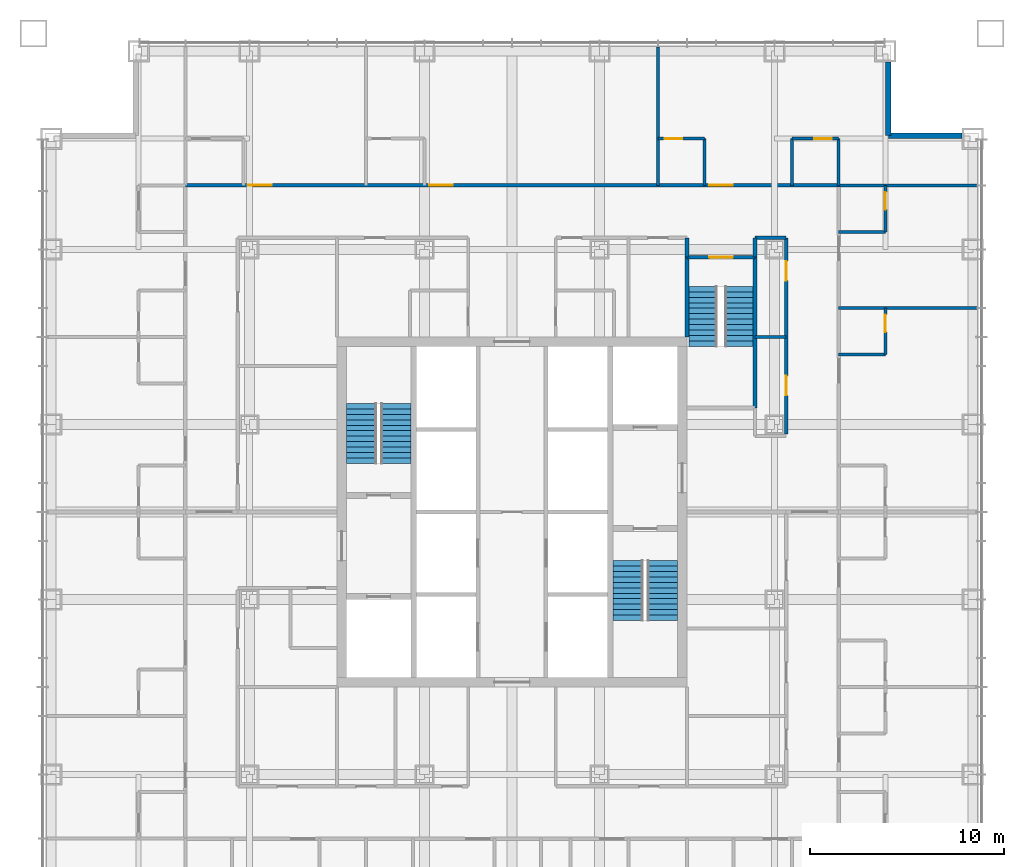
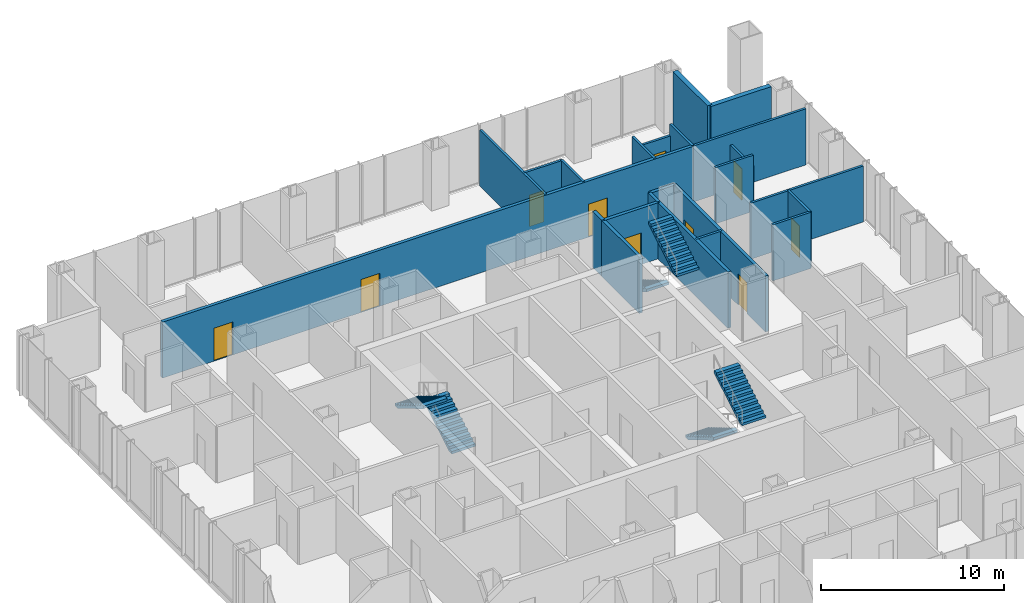
# One storey, part 11 of 12: 23 walls, 10 doors, 6 stair flights, 10 openings, 3 elements without a shape of their own.
"""IFC4 building model written with IfcOpenShell, lengths in metres."""

from ifc_helpers import new_model, si_unit, direction, frame, frame_2d, origin, place, context, subcontext, project, spatial, polyline, rectangle, outline, extrude, material, layer, layer_set, type_object, element, fill, aggregate, save


model = new_model("IFC4")

# Units and contexts
model_context = context("Model", 3, precision=1e-05, world=origin(), true_north=direction((0.0, 1.0)))
body_context = subcontext(model_context, "Body", "Model", "MODEL_VIEW")
ifc_project = project(units=[si_unit("LENGTHUNIT", "METRE"), si_unit("AREAUNIT", "SQUARE_METRE"), si_unit("VOLUMEUNIT", "CUBIC_METRE"), si_unit("PLANEANGLEUNIT", "RADIAN"), si_unit("MASSUNIT", "GRAM", prefix="KILO")], contexts=[model_context])

# Site, building, storey
site_placement = place(None, origin())
site = spatial("IfcSite", under=ifc_project, at=site_placement, CompositionType="ELEMENT")
building_placement = place(site_placement, origin())
building = spatial("IfcBuilding", under=site, at=building_placement, Name="Malebo Sky Hospital", CompositionType="ELEMENT")
storey_placement = place(building_placement, frame((0.0, 0.0, 136.0)))
storey = spatial("IfcBuildingStorey", under=building, at=storey_placement, Name="L32", CompositionType="ELEMENT", Elevation=136.0)

# Wall, openings, doors
ifc_material_1 = material(Name="Gypsum board on steel studs", Category="steel")
ifc_layer_1 = layer(ifc_material_1, 0.199951171875)
ifc_layer_set_1 = layer_set([ifc_layer_1], Name="CORRIDOR WALL 200")
wall_type_1 = type_object("IfcWallType", Name="CORRIDOR WALL 200", PredefinedType="PARTITIONING", material=ifc_layer_set_1)
wall_1_placement = place(storey_placement, frame((43.199951171875, 78.800048828125, 0.0), z_axis=(0.0, 0.0, 1.0), x_axis=(1.0, 0.0, 0.0)))
wall_1 = element("IfcWall", 1, at=wall_1_placement, inside=storey, type_object=wall_type_1, Name="Corridor Wall 200 NCO", PredefinedType="PARTITIONING", context=body_context, shape_type="SweptSolid", body=[
    extrude(rectangle(XDim=33.60009765625, YDim=0.199951171875, at=frame_2d((16.800048828125, 0.0))), origin(), (0.0, 0.0, 1.0), 3.75),
])
opening_1_placement = place(wall_1_placement, frame((3.25, 0.0, 0.0)))
opening_1 = element("IfcOpeningElement", 2, at=opening_1_placement, cuts=wall_1, Name="Opening D01", PredefinedType="OPENING", context=body_context, shape_type="SweptSolid", body=[
    extrude(rectangle(XDim=1.199951171875, YDim=2.199951171875, at=frame_2d((0.60009765625, 1.10009765625))), frame((0.0, 0.10986328125, 0.0), z_axis=(0.0, -1.0, 0.0), x_axis=(1.0, 0.0, 0.0)), (0.0, 0.0, 1.0), 0.219970703125),
])
opening_2_placement = place(wall_1_placement, frame((12.550048828125, 0.0, 0.0)))
opening_2 = element("IfcOpeningElement", 3, at=opening_2_placement, cuts=wall_1, Name="Opening D01", PredefinedType="OPENING", context=body_context, shape_type="SweptSolid", body=[
    extrude(rectangle(XDim=1.199951171875, YDim=2.199951171875, at=frame_2d((0.60009765625, 1.10009765625))), frame((0.0, 0.10986328125, 0.0), z_axis=(0.0, -1.0, 0.0), x_axis=(1.0, 0.0, 0.0)), (0.0, 0.0, 1.0), 0.219970703125),
])
opening_3_placement = place(wall_1_placement, frame((26.949951171875, 0.0, 0.0)))
opening_3 = element("IfcOpeningElement", 4, at=opening_3_placement, cuts=wall_1, Name="Opening D01", PredefinedType="OPENING", context=body_context, shape_type="SweptSolid", body=[
    extrude(rectangle(XDim=1.199951171875, YDim=2.199951171875, at=frame_2d((0.60009765625, 1.10009765625))), frame((0.0, 0.10986328125, 0.0), z_axis=(0.0, -1.0, 0.0), x_axis=(1.0, 0.0, 0.0)), (0.0, 0.0, 1.0), 0.219970703125),
])
ifc_material_2 = material(Name="Hardwood-faced door leaf in steel frame", Category="steel")
door_type_1 = type_object("IfcDoorType", Name="BED DOOR 1200", OperationType="SINGLE_SWING_LEFT", PredefinedType="DOOR", material=ifc_material_2)
door_1_placement = place(opening_1_placement, origin())
door_1 = element("IfcDoor", 5, at=door_1_placement, inside=storey, type_object=door_type_1, Name="Dialysis bay door", OperationType="SINGLE_SWING_LEFT", OverallHeight=2.199951171875, OverallWidth=1.199951171875, PredefinedType="DOOR", context=body_context, shape_type="SweptSolid", body=[
    extrude(rectangle(XDim=1.199951171875, YDim=2.199951171875, at=frame_2d((0.60009765625, 1.10009765625))), frame((0.0, 0.02490234375, 0.0), z_axis=(0.0, -1.0, 0.0), x_axis=(1.0, 0.0, 0.0)), (0.0, 0.0, 1.0), 0.050048828125),
])
fill(opening_1, door_1)
door_2_placement = place(opening_2_placement, origin())
door_2 = element("IfcDoor", 6, at=door_2_placement, inside=storey, type_object=door_type_1, Name="Dialysis bay door", OperationType="SINGLE_SWING_LEFT", OverallHeight=2.199951171875, OverallWidth=1.199951171875, PredefinedType="DOOR", context=body_context, shape_type="SweptSolid", body=[
    extrude(rectangle(XDim=1.199951171875, YDim=2.199951171875, at=frame_2d((0.60009765625, 1.10009765625))), frame((0.0, 0.02490234375, 0.0), z_axis=(0.0, -1.0, 0.0), x_axis=(1.0, 0.0, 0.0)), (0.0, 0.0, 1.0), 0.050048828125),
])
fill(opening_2, door_2)
door_3_placement = place(opening_3_placement, origin())
door_3 = element("IfcDoor", 7, at=door_3_placement, inside=storey, type_object=door_type_1, Name="Four-bed bay door", OperationType="SINGLE_SWING_LEFT", OverallHeight=2.199951171875, OverallWidth=1.199951171875, PredefinedType="DOOR", context=body_context, shape_type="SweptSolid", body=[
    extrude(rectangle(XDim=1.199951171875, YDim=2.199951171875, at=frame_2d((0.60009765625, 1.10009765625))), frame((0.0, 0.02490234375, 0.0), z_axis=(0.0, -1.0, 0.0), x_axis=(1.0, 0.0, 0.0)), (0.0, 0.0, 1.0), 0.050048828125),
])
fill(opening_3, door_3)

# Wall
wall_2_placement = place(storey_placement, frame((72.5, 76.10009765625, 0.0), z_axis=(0.0, 0.0, 1.0), x_axis=(1.0, 0.0, 0.0)))
element("IfcWall", 8, at=wall_2_placement, inside=storey, type_object=wall_type_1, Name="Corridor Wall 200 NCI2/2", PredefinedType="PARTITIONING", context=body_context, shape_type="SweptSolid", body=[
    extrude(rectangle(XDim=1.60009765625, YDim=0.199951171875, at=frame_2d((0.800048828125, 0.0))), origin(), (0.0, 0.0, 1.0), 3.75),
])

# Wall, openings, doors
wall_3_placement = place(storey_placement, frame((74.10009765625, 76.10009765625, 0.0), z_axis=(0.0, 0.0, 1.0), x_axis=(0.0, -1.0, 0.0)))
wall_3 = element("IfcWall", 9, at=wall_3_placement, inside=storey, type_object=wall_type_1, Name="Corridor Wall 200 ECI1", PredefinedType="PARTITIONING", context=body_context, shape_type="SweptSolid", body=[
    extrude(rectangle(XDim=10.10009765625, YDim=0.199951171875, at=frame_2d((5.050048828125, 0.0))), origin(), (0.0, 0.0, 1.0), 3.75),
])
opening_4_placement = place(wall_3_placement, frame((1.199951171875, 0.0, 0.0)))
opening_4 = element("IfcOpeningElement", 10, at=opening_4_placement, cuts=wall_3, Name="Opening D03", PredefinedType="OPENING", context=body_context, shape_type="SweptSolid", body=[
    extrude(rectangle(XDim=1.0, YDim=2.10009765625, at=frame_2d((0.5, 1.050048828125))), frame((0.0, 0.10986328125, 0.0), z_axis=(0.0, -1.0, 0.0), x_axis=(1.0, 0.0, 0.0)), (0.0, 0.0, 1.0), 0.219970703125),
])
opening_5_placement = place(wall_3_placement, frame((7.10009765625, 0.0, 0.0)))
opening_5 = element("IfcOpeningElement", 11, at=opening_5_placement, cuts=wall_3, Name="Opening D03", PredefinedType="OPENING", context=body_context, shape_type="SweptSolid", body=[
    extrude(rectangle(XDim=1.0, YDim=2.10009765625, at=frame_2d((0.5, 1.050048828125))), frame((0.0, 0.10986328125, 0.0), z_axis=(0.0, -1.0, 0.0), x_axis=(1.0, 0.0, 0.0)), (0.0, 0.0, 1.0), 0.219970703125),
])
door_type_2 = type_object("IfcDoorType", Name="ROOM DOOR 1000", OperationType="SINGLE_SWING_LEFT", PredefinedType="DOOR", material=ifc_material_2)
door_4_placement = place(opening_4_placement, origin())
door_4 = element("IfcDoor", 12, at=door_4_placement, inside=storey, type_object=door_type_2, Name="Consulting room door", OperationType="SINGLE_SWING_LEFT", OverallHeight=2.10009765625, OverallWidth=1.0, PredefinedType="DOOR", context=body_context, shape_type="SweptSolid", body=[
    extrude(rectangle(XDim=1.0, YDim=2.10009765625, at=frame_2d((0.5, 1.050048828125))), frame((0.0, 0.02490234375, 0.0), z_axis=(0.0, -1.0, 0.0), x_axis=(1.0, 0.0, 0.0)), (0.0, 0.0, 1.0), 0.050048828125),
])
fill(opening_4, door_4)
door_5_placement = place(opening_5_placement, origin())
door_5 = element("IfcDoor", 13, at=door_5_placement, inside=storey, type_object=door_type_2, Name="Dietitian consulting room door", OperationType="SINGLE_SWING_LEFT", OverallHeight=2.10009765625, OverallWidth=1.0, PredefinedType="DOOR", context=body_context, shape_type="SweptSolid", body=[
    extrude(rectangle(XDim=1.0, YDim=2.10009765625, at=frame_2d((0.5, 1.050048828125))), frame((0.0, 0.02490234375, 0.0), z_axis=(0.0, -1.0, 0.0), x_axis=(1.0, 0.0, 0.0)), (0.0, 0.0, 1.0), 0.050048828125),
])
fill(opening_5, door_5)

# Walls
for number, where, z_axis, x_axis, name in (
    (14, (69.0, 75.10009765625, 0.0), (0.0, 0.0, 1.0), (0.0, 1.0, 0.0), "Corridor Wall 200 ST3AW"),
    (15, (72.5, 75.10009765625, 0.0), (0.0, 0.0, 1.0), (0.0, 1.0, 0.0), "Corridor Wall 200 ST3AE"),
):
    element("IfcWall", number, at=place(storey_placement, frame(where, z_axis=z_axis, x_axis=x_axis)), inside=storey, type_object=wall_type_1, Name=name, PredefinedType="PARTITIONING", context=body_context, shape_type="SweptSolid", body=[
        extrude(rectangle(XDim=1.0, YDim=0.199951171875, at=frame_2d((0.5, 0.0))), origin(), (0.0, 0.0, 1.0), 3.75),
    ])
ifc_material_3 = material(Name="Anodised aluminium rainscreen on steel framing", Category="steel")
ifc_layer_2 = layer(ifc_material_3, 0.300048828125)
ifc_layer_set_2 = layer_set([ifc_layer_2], Name="NOTCH RAINSCREEN WALL 300")
wall_type_2 = type_object("IfcWallType", Name="NOTCH RAINSCREEN WALL 300", PredefinedType="ELEMENTEDWALL", material=ifc_layer_set_2)
for number, where, z_axis, x_axis, name in (
    (16, (79.35009765625, 85.14990234375, 0.0), (0.0, 0.0, 1.0), (0.0, -1.0, 0.0), "Notch rainscreen wall N1 L32"),
    (17, (79.35009765625, 81.35009765625, 0.0), (0.0, 0.0, 1.0), (1.0, 0.0, 0.0), "Notch rainscreen wall N2 L32"),
):
    element("IfcWall", number, at=place(storey_placement, frame(where, z_axis=z_axis, x_axis=x_axis)), inside=storey, type_object=wall_type_2, Name=name, PredefinedType="ELEMENTEDWALL", context=body_context, shape_type="SweptSolid", body=[
        extrude(rectangle(XDim=3.7998046875, YDim=0.300048828125, at=frame_2d((1.89990234375, 0.0))), origin(), (0.0, 0.0, 1.0), 4.0),
    ])
ifc_layer_3 = layer(ifc_material_1, 0.14990234375)
ifc_layer_set_3 = layer_set([ifc_layer_3], Name="PARTITION 150")
wall_type_3 = type_object("IfcWallType", Name="PARTITION 150", PredefinedType="PARTITIONING", material=ifc_layer_set_3)
wall_4_placement = place(storey_placement, frame((67.5, 78.800048828125, 0.0), z_axis=(0.0, 0.0, 1.0), x_axis=(0.0, 1.0, 0.0)))
element("IfcWall", 18, at=wall_4_placement, inside=storey, type_object=wall_type_3, Name="Partition 150 NP+7.5", PredefinedType="PARTITIONING", context=body_context, shape_type="SweptSolid", body=[
    extrude(rectangle(XDim=7.10986328125, YDim=0.14990234375, at=frame_2d((3.554931640625, 0.0))), origin(), (0.0, 0.0, 1.0), 3.75),
])

# Wall, opening, door
wall_5_placement = place(storey_placement, frame((67.5, 81.199951171875, 0.0), z_axis=(0.0, 0.0, 1.0), x_axis=(1.0, 0.0, 0.0)))
wall_5 = element("IfcWall", 19, at=wall_5_placement, inside=storey, type_object=wall_type_3, Name="Partition 150 NE2F", PredefinedType="PARTITIONING", context=body_context, shape_type="SweptSolid", body=[
    extrude(rectangle(XDim=2.39990234375, YDim=0.14990234375, at=frame_2d((1.199951171875, 0.0))), origin(), (0.0, 0.0, 1.0), 3.75),
])
opening_6_placement = place(wall_5_placement, frame((0.35009765625, 0.0, 0.0)))
opening_6 = element("IfcOpeningElement", 20, at=opening_6_placement, cuts=wall_5, Name="Opening D02", PredefinedType="OPENING", context=body_context, shape_type="SweptSolid", body=[
    extrude(rectangle(XDim=0.89990234375, YDim=2.10009765625, at=frame_2d((0.449951171875, 1.050048828125))), frame((0.0, 0.0849609375, 0.0), z_axis=(0.0, -1.0, 0.0), x_axis=(1.0, 0.0, 0.0)), (0.0, 0.0, 1.0), 0.169921875),
])
door_type_3 = type_object("IfcDoorType", Name="EN-SUITE DOOR 900", OperationType="SINGLE_SWING_LEFT", PredefinedType="DOOR", material=ifc_material_2)
door_6_placement = place(opening_6_placement, origin())
door_6 = element("IfcDoor", 21, at=door_6_placement, inside=storey, type_object=door_type_3, Name="En-suite door", OperationType="SINGLE_SWING_LEFT", OverallHeight=2.10009765625, OverallWidth=0.89990234375, PredefinedType="DOOR", context=body_context, shape_type="SweptSolid", body=[
    extrude(rectangle(XDim=0.89990234375, YDim=2.10009765625, at=frame_2d((0.449951171875, 1.050048828125))), frame((0.0, 0.02490234375, 0.0), z_axis=(0.0, -1.0, 0.0), x_axis=(1.0, 0.0, 0.0)), (0.0, 0.0, 1.0), 0.050048828125),
])
fill(opening_6, door_6)

# Wall
wall_6_placement = place(storey_placement, frame((69.89990234375, 78.800048828125, 0.0), z_axis=(0.0, 0.0, 1.0), x_axis=(0.0, 1.0, 0.0)))
element("IfcWall", 22, at=wall_6_placement, inside=storey, type_object=wall_type_3, Name="Partition 150 NE2S", PredefinedType="PARTITIONING", context=body_context, shape_type="SweptSolid", body=[
    extrude(rectangle(XDim=2.39990234375, YDim=0.14990234375, at=frame_2d((1.199951171875, 0.0))), origin(), (0.0, 0.0, 1.0), 3.75),
])

# Wall, opening, door
wall_7_placement = place(storey_placement, frame((74.39990234375, 81.199951171875, 0.0), z_axis=(0.0, 0.0, 1.0), x_axis=(1.0, 0.0, 0.0)))
wall_7 = element("IfcWall", 23, at=wall_7_placement, inside=storey, type_object=wall_type_3, Name="Partition 150 NG2F", PredefinedType="PARTITIONING", context=body_context, shape_type="SweptSolid", body=[
    extrude(rectangle(XDim=2.400146484375, YDim=0.14990234375, at=frame_2d((1.2001953125, 0.0))), origin(), (0.0, 0.0, 1.0), 2.9970703125),
])
opening_7_placement = place(wall_7_placement, frame((1.14990234375, 0.0, 0.0)))
opening_7 = element("IfcOpeningElement", 24, at=opening_7_placement, cuts=wall_7, Name="Opening D02", PredefinedType="OPENING", context=body_context, shape_type="SweptSolid", body=[
    extrude(rectangle(XDim=0.89990234375, YDim=2.10009765625, at=frame_2d((0.449951171875, 1.050048828125))), frame((0.0, 0.0849609375, 0.0), z_axis=(0.0, -1.0, 0.0), x_axis=(1.0, 0.0, 0.0)), (0.0, 0.0, 1.0), 0.169921875),
])
door_7_placement = place(opening_7_placement, origin())
door_7 = element("IfcDoor", 25, at=door_7_placement, inside=storey, type_object=door_type_3, Name="En-suite door", OperationType="SINGLE_SWING_RIGHT", OverallHeight=2.10009765625, OverallWidth=0.89990234375, PredefinedType="DOOR", context=body_context, shape_type="SweptSolid", body=[
    extrude(rectangle(XDim=0.89990234375, YDim=2.10009765625, at=frame_2d((0.449951171875, 1.050048828125))), frame((0.0, 0.02490234375, 0.0), z_axis=(0.0, -1.0, 0.0), x_axis=(1.0, 0.0, 0.0)), (0.0, 0.0, 1.0), 0.050048828125),
])
fill(opening_7, door_7)

# Walls
for number, where, z_axis, x_axis, name in (
    (26, (74.39990234375, 78.800048828125, 0.0), (0.0, 0.0, 1.0), (0.0, 1.0, 0.0), "Partition 150 NG2S"),
    (27, (76.800048828125, 78.800048828125, 0.0), (0.0, 0.0, 1.0), (0.0, 1.0, 0.0), "Partition 150 NEZ"),
):
    element("IfcWall", number, at=place(storey_placement, frame(where, z_axis=z_axis, x_axis=x_axis)), inside=storey, type_object=wall_type_3, Name=name, PredefinedType="PARTITIONING", context=body_context, shape_type="SweptSolid", body=[
        extrude(rectangle(XDim=2.39990234375, YDim=0.14990234375, at=frame_2d((1.199951171875, 0.0))), origin(), (0.0, 0.0, 1.0), 3.75),
    ])
for number, where, z_axis, x_axis, name in (
    (28, (76.800048828125, 72.5, 0.0), (0.0, 0.0, 1.0), (1.0, 0.0, 0.0), "Partition 150 EP-10.5"),
    (29, (76.800048828125, 78.800048828125, 0.0), (0.0, 0.0, 1.0), (1.0, 0.0, 0.0), "Partition 150 EP0"),
):
    element("IfcWall", number, at=place(storey_placement, frame(where, z_axis=z_axis, x_axis=x_axis)), inside=storey, type_object=wall_type_3, Name=name, PredefinedType="PARTITIONING", context=body_context, shape_type="SweptSolid", body=[
        extrude(rectangle(XDim=7.10986328125, YDim=0.14990234375, at=frame_2d((3.554931640625, 0.0))), origin(), (0.0, 0.0, 1.0), 3.75),
    ])

# Wall, opening, door
wall_8_placement = place(storey_placement, frame((79.199951171875, 78.800048828125, 0.0), z_axis=(0.0, 0.0, 1.0), x_axis=(0.0, -1.0, 0.0)))
wall_8 = element("IfcWall", 30, at=wall_8_placement, inside=storey, type_object=wall_type_3, Name="Partition 150 EE0F", PredefinedType="PARTITIONING", context=body_context, shape_type="SweptSolid", body=[
    extrude(rectangle(XDim=2.400146484375, YDim=0.14990234375, at=frame_2d((1.2001953125, 0.0))), origin(), (0.0, 0.0, 1.0), 2.9970703125),
])
opening_8_placement = place(wall_8_placement, frame((0.35009765625, 0.0, 0.0)))
opening_8 = element("IfcOpeningElement", 31, at=opening_8_placement, cuts=wall_8, Name="Opening D02", PredefinedType="OPENING", context=body_context, shape_type="SweptSolid", body=[
    extrude(rectangle(XDim=0.89990234375, YDim=2.10009765625, at=frame_2d((0.449951171875, 1.050048828125))), frame((0.0, 0.0849609375, 0.0), z_axis=(0.0, -1.0, 0.0), x_axis=(1.0, 0.0, 0.0)), (0.0, 0.0, 1.0), 0.169921875),
])
door_8_placement = place(opening_8_placement, origin())
door_8 = element("IfcDoor", 32, at=door_8_placement, inside=storey, type_object=door_type_3, Name="En-suite door", OperationType="SINGLE_SWING_LEFT", OverallHeight=2.10009765625, OverallWidth=0.89990234375, PredefinedType="DOOR", context=body_context, shape_type="SweptSolid", body=[
    extrude(rectangle(XDim=0.89990234375, YDim=2.10009765625, at=frame_2d((0.449951171875, 1.050048828125))), frame((0.0, 0.02490234375, 0.0), z_axis=(0.0, -1.0, 0.0), x_axis=(1.0, 0.0, 0.0)), (0.0, 0.0, 1.0), 0.050048828125),
])
fill(opening_8, door_8)

# Wall
wall_9_placement = place(storey_placement, frame((76.800048828125, 76.39990234375, 0.0), z_axis=(0.0, 0.0, 1.0), x_axis=(1.0, 0.0, 0.0)))
element("IfcWall", 33, at=wall_9_placement, inside=storey, type_object=wall_type_3, Name="Partition 150 EE0S", PredefinedType="PARTITIONING", context=body_context, shape_type="SweptSolid", body=[
    extrude(rectangle(XDim=2.39990234375, YDim=0.14990234375, at=frame_2d((1.199951171875, 0.0))), origin(), (0.0, 0.0, 1.0), 3.75),
])

# Wall, opening, door
wall_10_placement = place(storey_placement, frame((79.199951171875, 72.5, 0.0), z_axis=(0.0, 0.0, 1.0), x_axis=(0.0, -1.0, 0.0)))
wall_10 = element("IfcWall", 34, at=wall_10_placement, inside=storey, type_object=wall_type_3, Name="Partition 150 EE1F", PredefinedType="PARTITIONING", context=body_context, shape_type="SweptSolid", body=[
    extrude(rectangle(XDim=2.39990234375, YDim=0.14990234375, at=frame_2d((1.199951171875, 0.0))), origin(), (0.0, 0.0, 1.0), 3.75),
])
opening_9_placement = place(wall_10_placement, frame((0.35009765625, 0.0, 0.0)))
opening_9 = element("IfcOpeningElement", 35, at=opening_9_placement, cuts=wall_10, Name="Opening D02", PredefinedType="OPENING", context=body_context, shape_type="SweptSolid", body=[
    extrude(rectangle(XDim=0.89990234375, YDim=2.10009765625, at=frame_2d((0.449951171875, 1.050048828125))), frame((0.0, 0.0849609375, 0.0), z_axis=(0.0, -1.0, 0.0), x_axis=(1.0, 0.0, 0.0)), (0.0, 0.0, 1.0), 0.169921875),
])
door_9_placement = place(opening_9_placement, origin())
door_9 = element("IfcDoor", 36, at=door_9_placement, inside=storey, type_object=door_type_3, Name="En-suite door", OperationType="SINGLE_SWING_LEFT", OverallHeight=2.10009765625, OverallWidth=0.89990234375, PredefinedType="DOOR", context=body_context, shape_type="SweptSolid", body=[
    extrude(rectangle(XDim=0.89990234375, YDim=2.10009765625, at=frame_2d((0.449951171875, 1.050048828125))), frame((0.0, 0.02490234375, 0.0), z_axis=(0.0, -1.0, 0.0), x_axis=(1.0, 0.0, 0.0)), (0.0, 0.0, 1.0), 0.050048828125),
])
fill(opening_9, door_9)

# Walls
wall_11_placement = place(storey_placement, frame((76.800048828125, 70.10009765625, 0.0), z_axis=(0.0, 0.0, 1.0), x_axis=(1.0, 0.0, 0.0)))
element("IfcWall", 37, at=wall_11_placement, inside=storey, type_object=wall_type_3, Name="Partition 150 EE1S", PredefinedType="PARTITIONING", context=body_context, shape_type="SweptSolid", body=[
    extrude(rectangle(XDim=2.39990234375, YDim=0.14990234375, at=frame_2d((1.199951171875, 0.0))), origin(), (0.0, 0.0, 1.0), 3.75),
])
wall_12_placement = place(storey_placement, frame((72.5, 71.0, 0.0), z_axis=(0.0, 0.0, 1.0), x_axis=(1.0, 0.0, 0.0)))
element("IfcWall", 38, at=wall_12_placement, inside=storey, type_object=wall_type_3, Name="Partition 150 ESP0", PredefinedType="PARTITIONING", context=body_context, shape_type="SweptSolid", body=[
    extrude(rectangle(XDim=1.60009765625, YDim=0.14990234375, at=frame_2d((0.800048828125, 0.0))), origin(), (0.0, 0.0, 1.0), 3.75),
])
ifc_material_4 = material(Name="Concrete C40/50", Category="concrete")
ifc_layer_4 = layer(ifc_material_4, 0.199951171875)
ifc_layer_set_4 = layer_set([ifc_layer_4], Name="STAIR ENCLOSURE WALL 200")
wall_type_4 = type_object("IfcWallType", Name="STAIR ENCLOSURE WALL 200", PredefinedType="SOLIDWALL", material=ifc_layer_set_4)
wall_13_placement = place(storey_placement, frame((69.0, 71.0, 0.0), z_axis=(0.0, 0.0, 1.0), x_axis=(0.0, 1.0, 0.0)))
element("IfcWall", 39, at=wall_13_placement, inside=storey, type_object=wall_type_4, Name="Stair Enclosure Wall 200 ST3W", PredefinedType="SOLIDWALL", context=body_context, shape_type="SweptSolid", body=[
    extrude(rectangle(XDim=4.10009765625, YDim=0.199951171875, at=frame_2d((2.050048828125, 0.0))), origin(), (0.0, 0.0, 1.0), 3.75),
])
wall_14_placement = place(storey_placement, frame((72.5, 67.35009765625, 0.0), z_axis=(0.0, 0.0, 1.0), x_axis=(0.0, 1.0, 0.0)))
element("IfcWall", 40, at=wall_14_placement, inside=storey, type_object=wall_type_4, Name="Stair Enclosure Wall 200 ST3E", PredefinedType="SOLIDWALL", context=body_context, shape_type="SweptSolid", body=[
    extrude(rectangle(XDim=7.75, YDim=0.199951171875, at=frame_2d((3.875, 0.0))), origin(), (0.0, 0.0, 1.0), 3.75),
])

# Wall, opening, door
wall_15_placement = place(storey_placement, frame((69.0, 75.10009765625, 0.0), z_axis=(0.0, 0.0, 1.0), x_axis=(1.0, 0.0, 0.0)))
wall_15 = element("IfcWall", 41, at=wall_15_placement, inside=storey, type_object=wall_type_4, Name="Stair Enclosure Wall 200 ST3N", PredefinedType="SOLIDWALL", context=body_context, shape_type="SweptSolid", body=[
    extrude(rectangle(XDim=3.5, YDim=0.199951171875, at=frame_2d((1.75, 0.0))), origin(), (0.0, 0.0, 1.0), 3.75),
])
opening_10_placement = place(wall_15_placement, frame((1.14990234375, 0.0, 0.0)))
opening_10 = element("IfcOpeningElement", 42, at=opening_10_placement, cuts=wall_15, Name="Opening D08", PredefinedType="OPENING", context=body_context, shape_type="SweptSolid", body=[
    extrude(rectangle(XDim=1.199951171875, YDim=2.10009765625, at=frame_2d((0.60009765625, 1.050048828125))), frame((0.0, 0.10986328125, 0.0), z_axis=(0.0, -1.0, 0.0), x_axis=(1.0, 0.0, 0.0)), (0.0, 0.0, 1.0), 0.219970703125),
])
door_type_4 = type_object("IfcDoorType", Name="STAIR DOOR 1200", OperationType="SINGLE_SWING_LEFT", PredefinedType="DOOR", material=ifc_material_2)
door_10_placement = place(opening_10_placement, origin())
door_10 = element("IfcDoor", 43, at=door_10_placement, inside=storey, type_object=door_type_4, Name="Stair S3 door", OperationType="SINGLE_SWING_LEFT", OverallHeight=2.10009765625, OverallWidth=1.199951171875, PredefinedType="DOOR", context=body_context, shape_type="SweptSolid", body=[
    extrude(rectangle(XDim=1.199951171875, YDim=2.10009765625, at=frame_2d((0.60009765625, 1.050048828125))), frame((0.0, 0.02490234375, 0.0), z_axis=(0.0, -1.0, 0.0), x_axis=(1.0, 0.0, 0.0)), (0.0, 0.0, 1.0), 0.050048828125),
])
fill(opening_10, door_10)

# Stair, stair flights
stair_type_1 = type_object("IfcStairType", Name="HALF-TURN STAIR 1400 R167", PredefinedType="HALF_TURN_STAIR", material=ifc_material_4)
stair_1_placement = place(storey_placement, origin())
stair_1 = element("IfcStair", 44, at=stair_1_placement, inside=storey, type_object=stair_type_1, Name="Stair S3 L32 type ST1B", PredefinedType="HALF_TURN_STAIR")
stair_flight_type_1 = type_object("IfcStairFlightType", Name="STAIR FLIGHT 1400 R167", PredefinedType="STRAIGHT", material=ifc_material_4)
stair_flight_1_placement = place(storey_placement, frame((69.800048828125, 73.60009765625, 0.0), z_axis=(0.0, 0.0, 1.0), x_axis=(0.0, -1.0, 0.0)))
stair_flight_1 = element("IfcStairFlight", 45, at=stair_flight_1_placement, type_object=stair_flight_type_1, Name="S3 flight 1 type SF1B", NumberOfRisers=12, NumberOfTreads=11, PredefinedType="STRAIGHT", RiserHeight=0.166666667, TreadLength=0.28, context=body_context, shape_type="SweptSolid", body=[
    extrude(outline(polyline([(0.0, 0.0), (0.0, 0.166748046875), (0.280029296875, 0.166748046875), (0.280029296875, 0.333251953125), (0.56005859375, 0.333251953125), (0.56005859375, 0.5), (0.840087890625, 0.5), (0.840087890625, 0.666748046875), (1.1201171875, 0.666748046875), (1.1201171875, 0.833251953125), (1.39990234375, 0.833251953125), (1.39990234375, 1.0), (1.679931640625, 1.0), (1.679931640625, 1.166748046875), (1.9599609375, 1.166748046875), (1.9599609375, 1.333251953125), (2.239990234375, 1.333251953125), (2.239990234375, 1.5), (2.52001953125, 1.5), (2.52001953125, 1.666748046875), (2.800048828125, 1.666748046875), (2.800048828125, 1.833251953125), (3.080078125, 1.833251953125), (3.080078125, 2.0), (3.080078125, 1.658935546875), (0.29296875, 0.0), (0.0, 0.0)])), frame((0.0, 0.699951171875, 0.0), z_axis=(0.0, -1.0, 0.0), x_axis=(1.0, 0.0, 0.0)), (0.0, 0.0, 1.0), 1.39990234375),
])
stair_flight_2_placement = place(storey_placement, frame((71.699951171875, 70.52001953125, 2.0), z_axis=(0.0, 0.0, 1.0), x_axis=(0.0, 1.0, 0.0)))
stair_flight_2 = element("IfcStairFlight", 46, at=stair_flight_2_placement, type_object=stair_flight_type_1, Name="S3 flight 2 type SF1B", NumberOfRisers=12, NumberOfTreads=11, PredefinedType="STRAIGHT", RiserHeight=0.166666667, TreadLength=0.28, context=body_context, shape_type="SweptSolid", body=[
    extrude(outline(polyline([(0.0, 0.0), (0.0, 0.166748046875), (0.280029296875, 0.166748046875), (0.280029296875, 0.333251953125), (0.56005859375, 0.333251953125), (0.56005859375, 0.5), (0.840087890625, 0.5), (0.840087890625, 0.666748046875), (1.1201171875, 0.666748046875), (1.1201171875, 0.833251953125), (1.39990234375, 0.833251953125), (1.39990234375, 1.0), (1.679931640625, 1.0), (1.679931640625, 1.166748046875), (1.9599609375, 1.166748046875), (1.9599609375, 1.333251953125), (2.239990234375, 1.333251953125), (2.239990234375, 1.5), (2.52001953125, 1.5), (2.52001953125, 1.666748046875), (2.800048828125, 1.666748046875), (2.800048828125, 1.833251953125), (3.080078125, 1.833251953125), (3.080078125, 2.0), (3.080078125, 1.658935546875), (0.29296875, 0.0), (0.0, 0.0)])), frame((0.0, 0.699951171875, 0.0), z_axis=(0.0, -1.0, 0.0), x_axis=(1.0, 0.0, 0.0)), (0.0, 0.0, 1.0), 1.39990234375),
])
aggregate(stair_1, [stair_flight_1, stair_flight_2])

stair_type_2 = type_object("IfcStairType", Name="HALF-TURN STAIR 1500 R167", PredefinedType="HALF_TURN_STAIR", material=ifc_material_4)
stair_2_placement = place(storey_placement, origin())
stair_2 = element("IfcStair", 47, at=stair_2_placement, inside=storey, type_object=stair_type_2, Name="Stair S1 L32 type ST1", PredefinedType="HALF_TURN_STAIR")
stair_flight_type_2 = type_object("IfcStairFlightType", Name="STAIR FLIGHT 1500 R167", PredefinedType="STRAIGHT", material=ifc_material_4)
stair_flight_3_placement = place(storey_placement, frame((54.050048828125, 64.5, 0.0), z_axis=(0.0, 0.0, 1.0), x_axis=(0.0, 1.0, 0.0)))
stair_flight_3 = element("IfcStairFlight", 48, at=stair_flight_3_placement, type_object=stair_flight_type_2, Name="S1 flight 1 type SF1", NumberOfRisers=12, NumberOfTreads=11, PredefinedType="STRAIGHT", RiserHeight=0.166666667, TreadLength=0.28, context=body_context, shape_type="SweptSolid", body=[
    extrude(outline(polyline([(0.0, 0.0), (0.0, 0.166748046875), (0.280029296875, 0.166748046875), (0.280029296875, 0.333251953125), (0.56005859375, 0.333251953125), (0.56005859375, 0.5), (0.840087890625, 0.5), (0.840087890625, 0.666748046875), (1.1201171875, 0.666748046875), (1.1201171875, 0.833251953125), (1.39990234375, 0.833251953125), (1.39990234375, 1.0), (1.679931640625, 1.0), (1.679931640625, 1.166748046875), (1.9599609375, 1.166748046875), (1.9599609375, 1.333251953125), (2.239990234375, 1.333251953125), (2.239990234375, 1.5), (2.52001953125, 1.5), (2.52001953125, 1.666748046875), (2.800048828125, 1.666748046875), (2.800048828125, 1.833251953125), (3.080078125, 1.833251953125), (3.080078125, 2.0), (3.080078125, 1.658935546875), (0.29296875, 0.0), (0.0, 0.0)])), frame((0.0, 0.75, 0.0), z_axis=(0.0, -1.0, 0.0), x_axis=(1.0, 0.0, 0.0)), (0.0, 0.0, 1.0), 1.5),
])
stair_flight_4_placement = place(storey_placement, frame((52.25, 67.580078125, 2.0), z_axis=(0.0, 0.0, 1.0), x_axis=(0.0, -1.0, 0.0)))
stair_flight_4 = element("IfcStairFlight", 49, at=stair_flight_4_placement, type_object=stair_flight_type_2, Name="S1 flight 2 type SF1", NumberOfRisers=12, NumberOfTreads=11, PredefinedType="STRAIGHT", RiserHeight=0.166666667, TreadLength=0.28, context=body_context, shape_type="SweptSolid", body=[
    extrude(outline(polyline([(0.0, 0.0), (0.0, 0.166748046875), (0.280029296875, 0.166748046875), (0.280029296875, 0.333251953125), (0.56005859375, 0.333251953125), (0.56005859375, 0.5), (0.840087890625, 0.5), (0.840087890625, 0.666748046875), (1.1201171875, 0.666748046875), (1.1201171875, 0.833251953125), (1.39990234375, 0.833251953125), (1.39990234375, 1.0), (1.679931640625, 1.0), (1.679931640625, 1.166748046875), (1.9599609375, 1.166748046875), (1.9599609375, 1.333251953125), (2.239990234375, 1.333251953125), (2.239990234375, 1.5), (2.52001953125, 1.5), (2.52001953125, 1.666748046875), (2.800048828125, 1.666748046875), (2.800048828125, 1.833251953125), (3.080078125, 1.833251953125), (3.080078125, 2.0), (3.080078125, 1.658935546875), (0.29296875, 0.0), (0.0, 0.0)])), frame((0.0, 0.75, 0.0), z_axis=(0.0, -1.0, 0.0), x_axis=(1.0, 0.0, 0.0)), (0.0, 0.0, 1.0), 1.5),
])
aggregate(stair_2, [stair_flight_3, stair_flight_4])

stair_3_placement = place(storey_placement, origin())
stair_3 = element("IfcStair", 50, at=stair_3_placement, inside=storey, type_object=stair_type_2, Name="Stair S2 L32 type ST1", PredefinedType="HALF_TURN_STAIR")
stair_flight_5_placement = place(storey_placement, frame((65.949951171875, 59.5, 0.0), z_axis=(0.0, 0.0, 1.0), x_axis=(0.0, -1.0, 0.0)))
stair_flight_5 = element("IfcStairFlight", 51, at=stair_flight_5_placement, type_object=stair_flight_type_2, Name="S2 flight 1 type SF1", NumberOfRisers=12, NumberOfTreads=11, PredefinedType="STRAIGHT", RiserHeight=0.166666667, TreadLength=0.28, context=body_context, shape_type="SweptSolid", body=[
    extrude(outline(polyline([(0.0, 0.0), (0.0, 0.166748046875), (0.280029296875, 0.166748046875), (0.280029296875, 0.333251953125), (0.56005859375, 0.333251953125), (0.56005859375, 0.5), (0.840087890625, 0.5), (0.840087890625, 0.666748046875), (1.1201171875, 0.666748046875), (1.1201171875, 0.833251953125), (1.39990234375, 0.833251953125), (1.39990234375, 1.0), (1.679931640625, 1.0), (1.679931640625, 1.166748046875), (1.9599609375, 1.166748046875), (1.9599609375, 1.333251953125), (2.239990234375, 1.333251953125), (2.239990234375, 1.5), (2.52001953125, 1.5), (2.52001953125, 1.666748046875), (2.800048828125, 1.666748046875), (2.800048828125, 1.833251953125), (3.080078125, 1.833251953125), (3.080078125, 2.0), (3.080078125, 1.658935546875), (0.29296875, 0.0), (0.0, 0.0)])), frame((0.0, 0.75, 0.0), z_axis=(0.0, -1.0, 0.0), x_axis=(1.0, 0.0, 0.0)), (0.0, 0.0, 1.0), 1.5),
])
stair_flight_6_placement = place(storey_placement, frame((67.75, 56.419921875, 2.0), z_axis=(0.0, 0.0, 1.0), x_axis=(0.0, 1.0, 0.0)))
stair_flight_6 = element("IfcStairFlight", 52, at=stair_flight_6_placement, type_object=stair_flight_type_2, Name="S2 flight 2 type SF1", NumberOfRisers=12, NumberOfTreads=11, PredefinedType="STRAIGHT", RiserHeight=0.166666667, TreadLength=0.28, context=body_context, shape_type="SweptSolid", body=[
    extrude(outline(polyline([(0.0, 0.0), (0.0, 0.166748046875), (0.280029296875, 0.166748046875), (0.280029296875, 0.333251953125), (0.56005859375, 0.333251953125), (0.56005859375, 0.5), (0.840087890625, 0.5), (0.840087890625, 0.666748046875), (1.1201171875, 0.666748046875), (1.1201171875, 0.833251953125), (1.39990234375, 0.833251953125), (1.39990234375, 1.0), (1.679931640625, 1.0), (1.679931640625, 1.166748046875), (1.9599609375, 1.166748046875), (1.9599609375, 1.333251953125), (2.239990234375, 1.333251953125), (2.239990234375, 1.5), (2.52001953125, 1.5), (2.52001953125, 1.666748046875), (2.800048828125, 1.666748046875), (2.800048828125, 1.833251953125), (3.080078125, 1.833251953125), (3.080078125, 2.0), (3.080078125, 1.658935546875), (0.29296875, 0.0), (0.0, 0.0)])), frame((0.0, 0.75, 0.0), z_axis=(0.0, -1.0, 0.0), x_axis=(1.0, 0.0, 0.0)), (0.0, 0.0, 1.0), 1.5),
])
aggregate(stair_3, [stair_flight_5, stair_flight_6])

save(model, "model.ifc")
